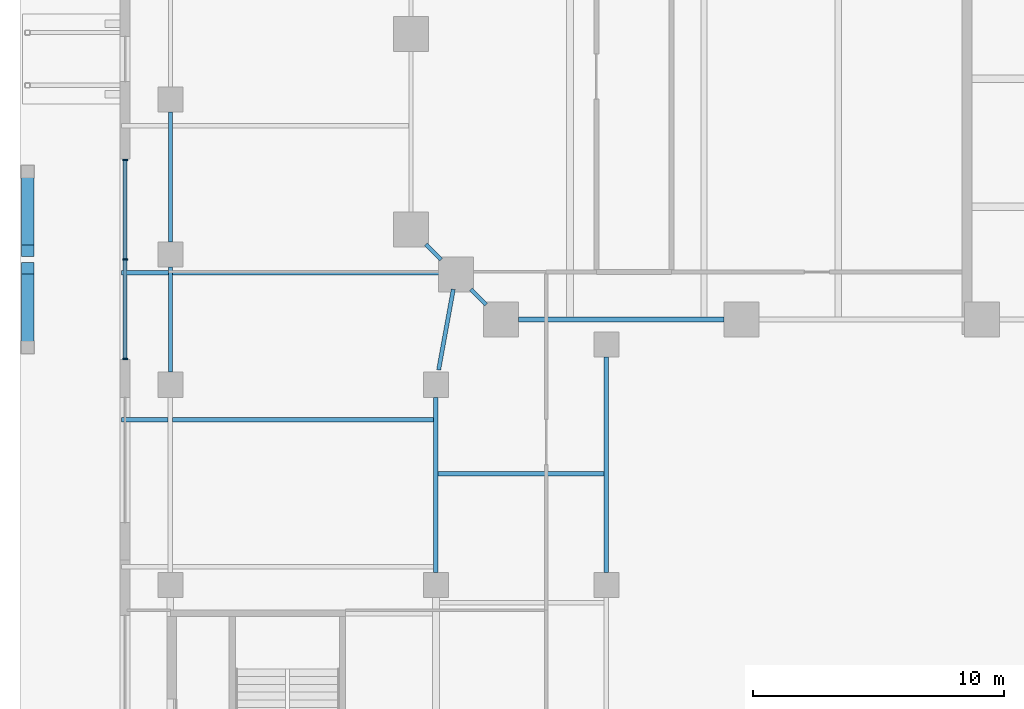
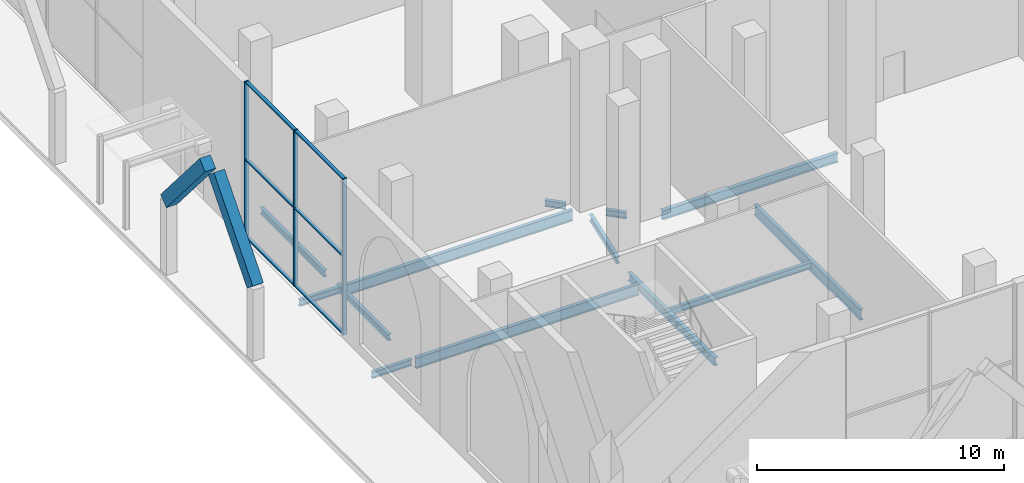
# One storey, part 15 of 38: 13 beams, 11 members, 1 element without a shape of its own.
"""IFC4 building model written with IfcOpenShell, lengths in metres."""

import ifcopenshell
import ifcopenshell.guid

model = None  # the IFC model being written
_history = None  # IfcOwnerHistory: only IFC2X3 demands one
_inside = {}  # id of a spatial element -> (the spatial element, [elements in it])
_under = {}  # id of a project, library or spatial element -> (it, [spatial elements below it])
_declared = {}  # id of a project -> (the project, [libraries it declares])
_typed = {}  # id of a type object -> (the type object, [elements of that type])
_made_of = {}  # id of a material, layer set ... -> (it, [elements and type objects made of it])


def new_model(schema):
    """Start an empty IFC model of exactly this schema.

    Asked for "IFC4X3", IfcOpenShell would pick the latest addendum, in which some entities
    have other attributes; the version numbers below select the first issue.
    IFC2X3 requires an IfcOwnerHistory on every rooted entity: one is made here for all.
    """
    global model, _history
    if schema == "IFC4X3":
        model = ifcopenshell.file(schema_version=(4, 3, 0, 0))
    else:
        model = ifcopenshell.file(schema=schema)
    _inside.clear()
    _under.clear()
    _declared.clear()
    _typed.clear()
    _made_of.clear()
    _history = None
    if model.schema == "IFC2X3":
        org = make("IfcOrganization", Name="unknown")
        user = make(
            "IfcPersonAndOrganization",
            ThePerson=make("IfcPerson", FamilyName="unknown"),
            TheOrganization=org,
        )
        app = make(
            "IfcApplication",
            ApplicationDeveloper=org,
            Version="unknown",
            ApplicationFullName="unknown",
            ApplicationIdentifier="unknown",
        )
        _history = make(
            "IfcOwnerHistory",
            OwningUser=user,
            OwningApplication=app,
            ChangeAction="ADDED",
            CreationDate=0,
        )
    return model


def make(cls, **values):
    """One entity of the class cls with the attributes given. An attribute that is None is left unset."""
    return model.create_entity(
        cls, **{name: value for name, value in values.items() if value is not None}
    )


def rooted(cls, **values):
    """An entity with a GlobalId (a new one), such as an element, a storey or a relation."""
    return make(cls, GlobalId=ifcopenshell.guid.new(), OwnerHistory=_history, **values)


def si_unit(unit_type, name, prefix=None):
    """IfcSIUnit, for example si_unit("LENGTHUNIT", "METRE", prefix="MILLI")."""
    return make("IfcSIUnit", UnitType=unit_type, Prefix=prefix, Name=name)


def assignment(units):
    """IfcUnitAssignment: the units of a project."""
    return None if units is None else make("IfcUnitAssignment", Units=units)


def point(xyz):
    """IfcCartesianPoint."""
    return None if xyz is None else make("IfcCartesianPoint", Coordinates=xyz)


def direction(xyz):
    """IfcDirection."""
    return None if xyz is None else make("IfcDirection", DirectionRatios=xyz)


def frame(location, z_axis=None, x_axis=None):
    """IfcAxis2Placement3D, a coordinate frame: its origin and axes. An axis left out is left unset."""
    return make(
        "IfcAxis2Placement3D",
        Location=point(location),
        Axis=direction(z_axis),
        RefDirection=direction(x_axis),
    )


def frame_2d(location, x_axis=None):
    """IfcAxis2Placement2D, a coordinate frame in the plane: its origin and x axis."""
    return make(
        "IfcAxis2Placement2D", Location=point(location), RefDirection=direction(x_axis)
    )


def origin():
    """The frame at (0, 0, 0) with its axes left unset."""
    return frame((0.0, 0.0, 0.0))


def origin_2d():
    """The frame at (0, 0) in the plane with its x axis left unset."""
    return frame_2d((0.0, 0.0))


def place(relative_to, where):
    """IfcLocalPlacement: puts the frame where relative to a parent placement (None: the world)."""
    return make(
        "IfcLocalPlacement", PlacementRelTo=relative_to, RelativePlacement=where
    )


def context(
    kind, dimensions, precision=None, world=None, true_north=None, identifier=None
):
    """IfcGeometricRepresentationContext, for example the 3D "Model" context."""
    return make(
        "IfcGeometricRepresentationContext",
        ContextIdentifier=identifier,
        ContextType=kind,
        CoordinateSpaceDimension=dimensions,
        Precision=precision,
        WorldCoordinateSystem=world,
        TrueNorth=true_north,
    )


def subcontext(parent, identifier, kind, view, scale=None):
    """IfcGeometricRepresentationSubContext, for example "Body" below "Model"."""
    return make(
        "IfcGeometricRepresentationSubContext",
        ContextIdentifier=identifier,
        ContextType=kind,
        ParentContext=parent,
        TargetScale=scale,
        TargetView=view,
    )


def project(units=None, contexts=None):
    """IfcProject with its units and contexts."""
    return rooted(
        "IfcProject",
        Name="project",
        RepresentationContexts=contexts,
        UnitsInContext=assignment(units),
    )


def spatial(cls, under=None, at=None, **own):
    """A site, building, storey or space (cls), placed at a placement, below another one or the project."""
    s = rooted(cls, ObjectPlacement=at, **own)
    if under is not None:
        _under.setdefault(under.id(), (under, []))[1].append(s)
    return s


def profile(cls, at=None, kind="AREA", **sizes):
    """A parametric profile (cls). Its sizes go by their IFC names, for example OverallWidth=200.0."""
    return make(cls, ProfileType=kind, Position=at, **sizes)


def rectangle(**sizes):
    """IfcRectangleProfileDef."""
    return profile("IfcRectangleProfileDef", **sizes)


def i_section(**sizes):
    """IfcIShapeProfileDef."""
    return profile("IfcIShapeProfileDef", **sizes)


def extrude(swept, where, along, depth):
    """IfcExtrudedAreaSolid: the profile swept, set in the frame where, extruded along a direction by depth."""
    return make(
        "IfcExtrudedAreaSolid",
        SweptArea=swept,
        Position=where,
        ExtrudedDirection=direction(along),
        Depth=depth,
    )


def shape(context_of_items, identifier, shape_type, items):
    """IfcShapeRepresentation: the items that make up one representation, for example the "Body"."""
    return make(
        "IfcShapeRepresentation",
        ContextOfItems=context_of_items,
        RepresentationIdentifier=identifier,
        RepresentationType=shape_type,
        Items=items,
    )


def material(Name=None, Category=None):
    """IfcMaterial."""
    return make("IfcMaterial", Name=Name, Category=Category)


def material_profile(
    of_material, cross_section, Name=None, Category=None, Priority=None
):
    """IfcMaterialProfile: a cross section and its material."""
    return make(
        "IfcMaterialProfile",
        Name=Name,
        Material=of_material,
        Profile=cross_section,
        Priority=Priority,
        Category=Category,
    )


def profile_set(profiles, Name=None, composite=None):
    """IfcMaterialProfileSet."""
    return make(
        "IfcMaterialProfileSet",
        Name=Name,
        MaterialProfiles=profiles,
        CompositeProfile=composite,
    )


def made_of(thing, what):
    """Note that an element or type object is made of a material, layer set ...; save() writes the relation."""
    if what is not None:
        _made_of.setdefault(what.id(), (what, []))[1].append(thing)
    return thing


def type_object(cls, material=None, **own):
    """A type object (cls), such as IfcWallType, which elements share."""
    return made_of(rooted(cls, **own), material)


def element(
    cls,
    number,
    at=None,
    inside=None,
    cuts=None,
    type_object=None,
    material=None,
    context=None,
    identifier="Body",
    shape_type=None,
    held_by="IfcProductDefinitionShape",
    body=None,
    shapes=None,
    **own,
):
    """One element of the class cls, such as IfcWall. Its Tag is "e" and its number.

    at: its placement. inside: the storey or other place that contains it. cuts: it is an
    opening in that element (IfcRelVoidsElement). A single representation is given by context,
    identifier, shape_type and body (its items); several are given by shapes. held_by: the class
    of the entity that holds the representations. save() writes the other relations.
    """
    e = rooted(cls, Tag="e%d" % number, ObjectPlacement=at, **own)
    if body is not None:
        shapes = [shape(context, identifier, shape_type, body)]
    if shapes is not None:
        e.Representation = make(held_by, Representations=shapes)
    if inside is not None:
        _inside.setdefault(inside.id(), (inside, []))[1].append(e)
    if cuts is not None:
        rooted(
            "IfcRelVoidsElement", RelatingBuildingElement=cuts, RelatedOpeningElement=e
        )
    if type_object is not None:
        _typed.setdefault(type_object.id(), (type_object, []))[1].append(e)
    return made_of(e, material)


def aggregate(whole, parts):
    """IfcRelAggregates: a whole, such as a stair, and the parts it consists of."""
    return rooted("IfcRelAggregates", RelatingObject=whole, RelatedObjects=parts)


def save(model, path):
    """Write the relations noted so far, then the file.

    IfcRelAggregates (storeys below a building ...), IfcRelContainedInSpatialStructure (elements
    in a storey), IfcRelDefinesByType, IfcRelAssociatesMaterial and IfcRelDeclares: one each for
    every whole, place, type object, material and project.
    """
    for whole, parts in _under.values():
        aggregate(whole, parts)
    for where, things in _inside.values():
        rooted(
            "IfcRelContainedInSpatialStructure",
            RelatedElements=things,
            RelatingStructure=where,
        )
    for kind, things in _typed.values():
        rooted("IfcRelDefinesByType", RelatedObjects=things, RelatingType=kind)
    for what, things in _made_of.values():
        rooted("IfcRelAssociatesMaterial", RelatedObjects=things, RelatingMaterial=what)
    for by, libraries in _declared.values():
        rooted("IfcRelDeclares", RelatingContext=by, RelatedDefinitions=libraries)
    model.write(path)


model = new_model("IFC4")

# Units and contexts
model_context = context("Model", 3, precision=1e-05, world=origin(), true_north=direction((0.0, 1.0)))
body_context = subcontext(model_context, "Body", "Model", "MODEL_VIEW")
ifc_project = project(units=[si_unit("LENGTHUNIT", "METRE"), si_unit("AREAUNIT", "SQUARE_METRE"), si_unit("VOLUMEUNIT", "CUBIC_METRE"), si_unit("PLANEANGLEUNIT", "RADIAN"), si_unit("MASSUNIT", "GRAM", prefix="KILO")], contexts=[model_context])

# Site, building, storey
site_placement = place(None, origin())
site = spatial("IfcSite", under=ifc_project, at=site_placement, CompositionType="ELEMENT")
building_placement = place(site_placement, origin())
building = spatial("IfcBuilding", under=site, at=building_placement, Name="Ogive Exchange Tower", CompositionType="ELEMENT")
storey_placement = place(building_placement, origin())
storey = spatial("IfcBuildingStorey", under=building, at=storey_placement, Name="L00", CompositionType="ELEMENT", Elevation=0.0)

# Members
ifc_material_1 = material(Name="Concrete C70/85", Category="concrete")
ifc_material_profile_1 = material_profile(ifc_material_1, rectangle(XDim=0.5, YDim=0.60009765625, at=origin_2d()), Name="PC 500x600")
ifc_profile_set_1 = profile_set([ifc_material_profile_1], Name="Concrete C70/85")
member_type_1 = type_object("IfcMemberType", Name="Arch rib 500x600", PredefinedType="USERDEFINED", material=ifc_profile_set_1)
for number, where, z_axis, x_axis, name in (
    (1, (-47.699951171875, -24.5, 3.5), (0.0, -0.64925670005, 0.760569350842), (1.0, 0.0, 0.0), "Arch rib"),
    (2, (-47.699951171875, -31.5, 3.5), (0.0, 0.64925670005, 0.760569350842), (-1.0, 0.0, 0.0), "Arch rib"),
):
    element("IfcMember", number, at=place(storey_placement, frame(where, z_axis=z_axis, x_axis=x_axis)), inside=storey, type_object=member_type_1, Name=name, ObjectType="ARCH RIB", PredefinedType="USERDEFINED", context=body_context, shape_type="SweptSolid", body=[
        extrude(rectangle(XDim=0.5, YDim=0.60009765625, at=origin_2d()), origin(), (0.0, 0.0, 1.0), 4.8515625),
    ])

# Beams
ifc_material_2 = material(Name="Steel ASTM A992 Gr50", Category="steel")
ifc_material_profile_2 = material_profile(ifc_material_2, i_section(OverallWidth=0.1650390625, OverallDepth=0.31005859375, WebThickness=0.005859375, FlangeThickness=0.009765625, at=origin_2d()), Name="W310x38.7")
ifc_profile_set_2 = profile_set([ifc_material_profile_2], Name="Steel ASTM A992 Gr50")
beam_type_1 = type_object("IfcBeamType", Name="Floor beam W310x38.7", PredefinedType="JOIST", material=ifc_profile_set_2)
beam_1_placement = place(storey_placement, frame((-43.949951171875, -34.39990234375, -0.455078125), z_axis=(1.0, 0.0, 0.0), x_axis=(0.0, 1.0, 0.0)))
element("IfcBeam", 3, at=beam_1_placement, inside=storey, type_object=beam_type_1, Name="Floor beam", PredefinedType="JOIST", context=body_context, shape_type="SweptSolid", body=[
    extrude(i_section(OverallWidth=0.1650390625, OverallDepth=0.31005859375, WebThickness=0.005859375, FlangeThickness=0.009765625, at=origin_2d()), origin(), (0.0, 0.0, 1.0), 1.86083984375),
])
beam_2_placement = place(storey_placement, frame((-43.949951171875, -28.533203125, -0.455078125), z_axis=(1.0, 0.0, 0.0), x_axis=(0.0, 1.0, 0.0)))
element("IfcBeam", 4, at=beam_2_placement, inside=storey, type_object=beam_type_1, Name="Floor beam", PredefinedType="JOIST", context=body_context, shape_type="SweptSolid", body=[
    extrude(i_section(OverallWidth=0.1650390625, OverallDepth=0.31005859375, WebThickness=0.005859375, FlangeThickness=0.009765625, at=origin_2d()), origin(), (0.0, 0.0, 1.0), 1.867431640625),
])
beam_3_placement = place(storey_placement, frame((-31.31103515625, -36.550048828125, -0.455078125), z_axis=(1.0, 0.0, 0.0), x_axis=(0.0, 1.0, 0.0)))
element("IfcBeam", 5, at=beam_3_placement, inside=storey, type_object=beam_type_1, Name="Floor beam", PredefinedType="JOIST", context=body_context, shape_type="SweptSolid", body=[
    extrude(i_section(OverallWidth=0.1650390625, OverallDepth=0.31005859375, WebThickness=0.005859375, FlangeThickness=0.009765625, at=origin_2d()), origin(), (0.0, 0.0, 1.0), 6.62744140625),
])
ifc_material_profile_3 = material_profile(ifc_material_2, i_section(OverallWidth=0.1669921875, OverallDepth=0.535888671875, WebThickness=0.01025390625, FlangeThickness=0.0166015625, at=origin_2d()), Name="W530x85")
ifc_profile_set_3 = profile_set([ifc_material_profile_3], Name="Steel ASTM A992 Gr50")
beam_type_2 = type_object("IfcBeamType", Name="Floor beam W530x85", PredefinedType="JOIST", material=ifc_profile_set_3)
beam_4_placement = place(storey_placement, frame((-41.910888671875, -34.39990234375, -0.568115234375), z_axis=(1.0, 0.0, 0.0), x_axis=(0.0, 1.0, 0.0)))
element("IfcBeam", 6, at=beam_4_placement, inside=storey, type_object=beam_type_2, Name="Floor beam", PredefinedType="JOIST", context=body_context, shape_type="SweptSolid", body=[
    extrude(i_section(OverallWidth=0.1669921875, OverallDepth=0.535888671875, WebThickness=0.01025390625, FlangeThickness=0.0166015625, at=origin_2d()), origin(), (0.0, 0.0, 1.0), 10.421875),
])
beam_5_placement = place(storey_placement, frame((-41.91748046875, -28.533203125, -0.568115234375), z_axis=(1.0, 0.0, 0.0), x_axis=(0.0, 1.0, 0.0)))
element("IfcBeam", 7, at=beam_5_placement, inside=storey, type_object=beam_type_2, Name="Floor beam", PredefinedType="JOIST", context=body_context, shape_type="SweptSolid", body=[
    extrude(i_section(OverallWidth=0.1669921875, OverallDepth=0.535888671875, WebThickness=0.01025390625, FlangeThickness=0.0166015625, at=origin_2d()), origin(), (0.0, 0.0, 1.0), 10.717529296875),
])
ifc_material_profile_4 = material_profile(ifc_material_2, i_section(OverallWidth=0.1650390625, OverallDepth=0.31005859375, WebThickness=0.005859375, FlangeThickness=0.009765625, at=origin_2d()), Name="W310x38.7")
ifc_profile_set_4 = profile_set([ifc_material_profile_4], Name="Steel ASTM A992 Gr50")
beam_type_3 = type_object("IfcBeamType", Name="Girder W310x38.7", PredefinedType="BEAM", material=ifc_profile_set_4)
for number, where, z_axis, x_axis, name in (
    (8, (-31.805908203125, -27.39404296875, -0.455078125), (0.706965712506, -0.707247821729, 0.0), (0.707247821729, 0.706965712506, 0.0), "Girder"),
    (9, (-30.006103515625, -29.194091796875, -0.455078125), (0.707247821729, -0.706965712506, 0.0), (0.706965712506, 0.707247821729, 0.0), "Girder"),
):
    element("IfcBeam", number, at=place(storey_placement, frame(where, z_axis=z_axis, x_axis=x_axis)), inside=storey, type_object=beam_type_3, Name=name, PredefinedType="BEAM", context=body_context, shape_type="SweptSolid", body=[
        extrude(i_section(OverallWidth=0.1650390625, OverallDepth=0.31005859375, WebThickness=0.005859375, FlangeThickness=0.009765625, at=origin_2d()), origin(), (0.0, 0.0, 1.0), 0.865478515625),
    ])
beam_6_placement = place(storey_placement, frame((-31.292724609375, -32.40966796875, -0.455078125), z_axis=(0.178911700404, 0.983865134792, 0.0), x_axis=(-0.983865134792, 0.178911700404, 0.0)))
element("IfcBeam", 10, at=beam_6_placement, inside=storey, type_object=beam_type_3, Name="Girder", PredefinedType="BEAM", context=body_context, shape_type="SweptSolid", body=[
    extrude(i_section(OverallWidth=0.1650390625, OverallDepth=0.31005859375, WebThickness=0.005859375, FlangeThickness=0.009765625, at=origin_2d()), origin(), (0.0, 0.0, 1.0), 3.272216796875),
])
beam_7_placement = place(storey_placement, frame((-42.0, -32.5, -0.455078125), z_axis=(0.0, 1.0, 0.0), x_axis=(-1.0, 0.0, 0.0)))
element("IfcBeam", 11, at=beam_7_placement, inside=storey, type_object=beam_type_3, Name="Girder", PredefinedType="BEAM", context=body_context, shape_type="SweptSolid", body=[
    extrude(i_section(OverallWidth=0.1650390625, OverallDepth=0.31005859375, WebThickness=0.005859375, FlangeThickness=0.009765625, at=origin_2d()), origin(), (0.0, 0.0, 1.0), 4.199951171875),
])
beam_8_placement = place(storey_placement, frame((-42.0, -27.300048828125, -0.455078125), z_axis=(0.0, 1.0, 0.0), x_axis=(-1.0, 0.0, 0.0)))
element("IfcBeam", 12, at=beam_8_placement, inside=storey, type_object=beam_type_3, Name="Girder", PredefinedType="BEAM", context=body_context, shape_type="SweptSolid", body=[
    extrude(i_section(OverallWidth=0.1650390625, OverallDepth=0.31005859375, WebThickness=0.005859375, FlangeThickness=0.009765625, at=origin_2d()), origin(), (0.0, 0.0, 1.0), 5.179931640625),
])
ifc_material_profile_5 = material_profile(ifc_material_2, i_section(OverallWidth=0.177978515625, OverallDepth=0.406005859375, WebThickness=0.0078125, FlangeThickness=0.0126953125, at=origin_2d()), Name="W410x60")
ifc_profile_set_5 = profile_set([ifc_material_profile_5], Name="Steel ASTM A992 Gr50")
beam_type_4 = type_object("IfcBeamType", Name="Girder W410x60", PredefinedType="BEAM", material=ifc_profile_set_5)
beam_9_placement = place(storey_placement, frame((-31.39990234375, -40.5, -0.5029296875), z_axis=(0.0, 1.0, 0.0), x_axis=(-1.0, 0.0, 0.0)))
element("IfcBeam", 13, at=beam_9_placement, inside=storey, type_object=beam_type_4, Name="Girder", PredefinedType="BEAM", context=body_context, shape_type="SweptSolid", body=[
    extrude(i_section(OverallWidth=0.177978515625, OverallDepth=0.406005859375, WebThickness=0.0078125, FlangeThickness=0.0126953125, at=origin_2d()), origin(), (0.0, 0.0, 1.0), 7.0),
])
ifc_material_profile_6 = material_profile(ifc_material_2, i_section(OverallWidth=0.19091796875, OverallDepth=0.45703125, WebThickness=0.009033203125, FlangeThickness=0.014404296875, at=origin_2d()), Name="W460x74")
ifc_profile_set_6 = profile_set([ifc_material_profile_6], Name="Steel ASTM A992 Gr50")
beam_type_5 = type_object("IfcBeamType", Name="Girder W460x74", PredefinedType="BEAM", material=ifc_profile_set_6)
beam_10_placement = place(storey_placement, frame((-28.10009765625, -30.39990234375, -0.528564453125), z_axis=(1.0, 0.0, 0.0), x_axis=(0.0, 1.0, 0.0)))
element("IfcBeam", 14, at=beam_10_placement, inside=storey, type_object=beam_type_5, Name="Girder", PredefinedType="BEAM", context=body_context, shape_type="SweptSolid", body=[
    extrude(i_section(OverallWidth=0.19091796875, OverallDepth=0.45703125, WebThickness=0.009033203125, FlangeThickness=0.014404296875, at=origin_2d()), origin(), (0.0, 0.0, 1.0), 8.2001953125),
])
ifc_material_profile_7 = material_profile(ifc_material_2, i_section(OverallWidth=0.1669921875, OverallDepth=0.535888671875, WebThickness=0.01025390625, FlangeThickness=0.0166015625, at=origin_2d()), Name="W530x85")
ifc_profile_set_7 = profile_set([ifc_material_profile_7], Name="Steel ASTM A992 Gr50")
beam_type_6 = type_object("IfcBeamType", Name="Girder W530x85", PredefinedType="BEAM", material=ifc_profile_set_7)
beam_11_placement = place(storey_placement, frame((-24.60009765625, -40.5, -0.568115234375), z_axis=(0.0, 1.0, 0.0), x_axis=(-1.0, 0.0, 0.0)))
element("IfcBeam", 15, at=beam_11_placement, inside=storey, type_object=beam_type_6, Name="Girder", PredefinedType="BEAM", context=body_context, shape_type="SweptSolid", body=[
    extrude(i_section(OverallWidth=0.1669921875, OverallDepth=0.535888671875, WebThickness=0.01025390625, FlangeThickness=0.0166015625, at=origin_2d()), origin(), (0.0, 0.0, 1.0), 8.60009765625),
])

# Curtain wall, members
ifc_material_3 = material(Name="Anodised aluminium and clear glass", Category="aluminium")
curtain_wall_type = type_object("IfcCurtainWallType", Name="Podium arcade glazing", PredefinedType="NOTDEFINED", material=ifc_material_3)
curtain_wall_placement = place(storey_placement, origin())
curtain_wall = element("IfcCurtainWall", 16, at=curtain_wall_placement, inside=storey, type_object=curtain_wall_type, Name="Podium arcade glazing run AG51", PredefinedType="NOTDEFINED")
ifc_material_4 = material(Name="Anodised aluminium", Category="aluminium")
ifc_material_profile_8 = material_profile(ifc_material_4, rectangle(XDim=0.199951171875, YDim=0.06005859375, at=origin_2d()), Name="AL 60x200")
ifc_profile_set_8 = profile_set([ifc_material_profile_8], Name="Anodised aluminium")
member_type_2 = type_object("IfcMemberType", Name="Podium arcade glazing mullion 60 x 200", PredefinedType="MULLION", material=ifc_profile_set_8)
member_1_placement = place(storey_placement, frame((-43.800048828125, -24.030029296875, 0.0), z_axis=(0.0, 0.0, 1.0), x_axis=(1.0, 0.0, 0.0)))
member_1 = element("IfcMember", 17, at=member_1_placement, type_object=member_type_2, Name="AG51 mullion 1", PredefinedType="MULLION", context=body_context, shape_type="SweptSolid", body=[
    extrude(rectangle(XDim=0.199951171875, YDim=0.06005859375, at=origin_2d()), origin(), (0.0, 0.0, 1.0), 7.699951171875),
])
member_2_placement = place(storey_placement, frame((-43.800048828125, -28.0, 0.0), z_axis=(0.0, 0.0, 1.0), x_axis=(1.0, 0.0, 0.0)))
member_2 = element("IfcMember", 18, at=member_2_placement, type_object=member_type_2, Name="AG51 mullion 2", PredefinedType="MULLION", context=body_context, shape_type="SweptSolid", body=[
    extrude(rectangle(XDim=0.199951171875, YDim=0.06005859375, at=origin_2d()), origin(), (0.0, 0.0, 1.0), 7.699951171875),
])
member_3_placement = place(storey_placement, frame((-43.800048828125, -31.969970703125, 0.0), z_axis=(0.0, 0.0, 1.0), x_axis=(1.0, 0.0, 0.0)))
member_3 = element("IfcMember", 19, at=member_3_placement, type_object=member_type_2, Name="AG51 mullion 3", PredefinedType="MULLION", context=body_context, shape_type="SweptSolid", body=[
    extrude(rectangle(XDim=0.199951171875, YDim=0.06005859375, at=origin_2d()), origin(), (0.0, 0.0, 1.0), 7.699951171875),
])
ifc_material_profile_9 = material_profile(ifc_material_4, rectangle(XDim=0.159912109375, YDim=0.06005859375, at=origin_2d()), Name="AL 60x160")
ifc_profile_set_9 = profile_set([ifc_material_profile_9], Name="Anodised aluminium")
member_type_3 = type_object("IfcMemberType", Name="Podium arcade glazing transom 60 x 160", PredefinedType="USERDEFINED", material=ifc_profile_set_9)
member_4_placement = place(storey_placement, frame((-43.800048828125, -24.06005859375, 0.030029296875), z_axis=(0.0, -1.0, 0.0), x_axis=(1.0, 0.0, 0.0)))
member_4 = element("IfcMember", 20, at=member_4_placement, type_object=member_type_3, Name="AG51 transom 1.1", ObjectType="TRANSOM", PredefinedType="USERDEFINED", context=body_context, shape_type="SweptSolid", body=[
    extrude(rectangle(XDim=0.159912109375, YDim=0.06005859375, at=origin_2d()), origin(), (0.0, 0.0, 1.0), 3.909912109375),
])
member_5_placement = place(storey_placement, frame((-43.800048828125, -24.06005859375, 3.85009765625), z_axis=(0.0, -1.0, 0.0), x_axis=(1.0, 0.0, 0.0)))
member_5 = element("IfcMember", 21, at=member_5_placement, type_object=member_type_3, Name="AG51 transom 1.2", ObjectType="TRANSOM", PredefinedType="USERDEFINED", context=body_context, shape_type="SweptSolid", body=[
    extrude(rectangle(XDim=0.159912109375, YDim=0.06005859375, at=origin_2d()), origin(), (0.0, 0.0, 1.0), 3.909912109375),
])
member_6_placement = place(storey_placement, frame((-43.800048828125, -24.06005859375, 7.669921875), z_axis=(0.0, -1.0, 0.0), x_axis=(1.0, 0.0, 0.0)))
member_6 = element("IfcMember", 22, at=member_6_placement, type_object=member_type_3, Name="AG51 transom 1.3", ObjectType="TRANSOM", PredefinedType="USERDEFINED", context=body_context, shape_type="SweptSolid", body=[
    extrude(rectangle(XDim=0.159912109375, YDim=0.06005859375, at=origin_2d()), origin(), (0.0, 0.0, 1.0), 3.909912109375),
])
member_7_placement = place(storey_placement, frame((-43.800048828125, -28.030029296875, 0.030029296875), z_axis=(0.0, -1.0, 0.0), x_axis=(1.0, 0.0, 0.0)))
member_7 = element("IfcMember", 23, at=member_7_placement, type_object=member_type_3, Name="AG51 transom 2.1", ObjectType="TRANSOM", PredefinedType="USERDEFINED", context=body_context, shape_type="SweptSolid", body=[
    extrude(rectangle(XDim=0.159912109375, YDim=0.06005859375, at=origin_2d()), origin(), (0.0, 0.0, 1.0), 3.909912109375),
])
member_8_placement = place(storey_placement, frame((-43.800048828125, -28.030029296875, 3.85009765625), z_axis=(0.0, -1.0, 0.0), x_axis=(1.0, 0.0, 0.0)))
member_8 = element("IfcMember", 24, at=member_8_placement, type_object=member_type_3, Name="AG51 transom 2.2", ObjectType="TRANSOM", PredefinedType="USERDEFINED", context=body_context, shape_type="SweptSolid", body=[
    extrude(rectangle(XDim=0.159912109375, YDim=0.06005859375, at=origin_2d()), origin(), (0.0, 0.0, 1.0), 3.909912109375),
])
member_9_placement = place(storey_placement, frame((-43.800048828125, -28.030029296875, 7.669921875), z_axis=(0.0, -1.0, 0.0), x_axis=(1.0, 0.0, 0.0)))
member_9 = element("IfcMember", 25, at=member_9_placement, type_object=member_type_3, Name="AG51 transom 2.3", ObjectType="TRANSOM", PredefinedType="USERDEFINED", context=body_context, shape_type="SweptSolid", body=[
    extrude(rectangle(XDim=0.159912109375, YDim=0.06005859375, at=origin_2d()), origin(), (0.0, 0.0, 1.0), 3.909912109375),
])
aggregate(curtain_wall, [member_1, member_2, member_3, member_4, member_5, member_6, member_7, member_8, member_9])

save(model, "model.ifc")
